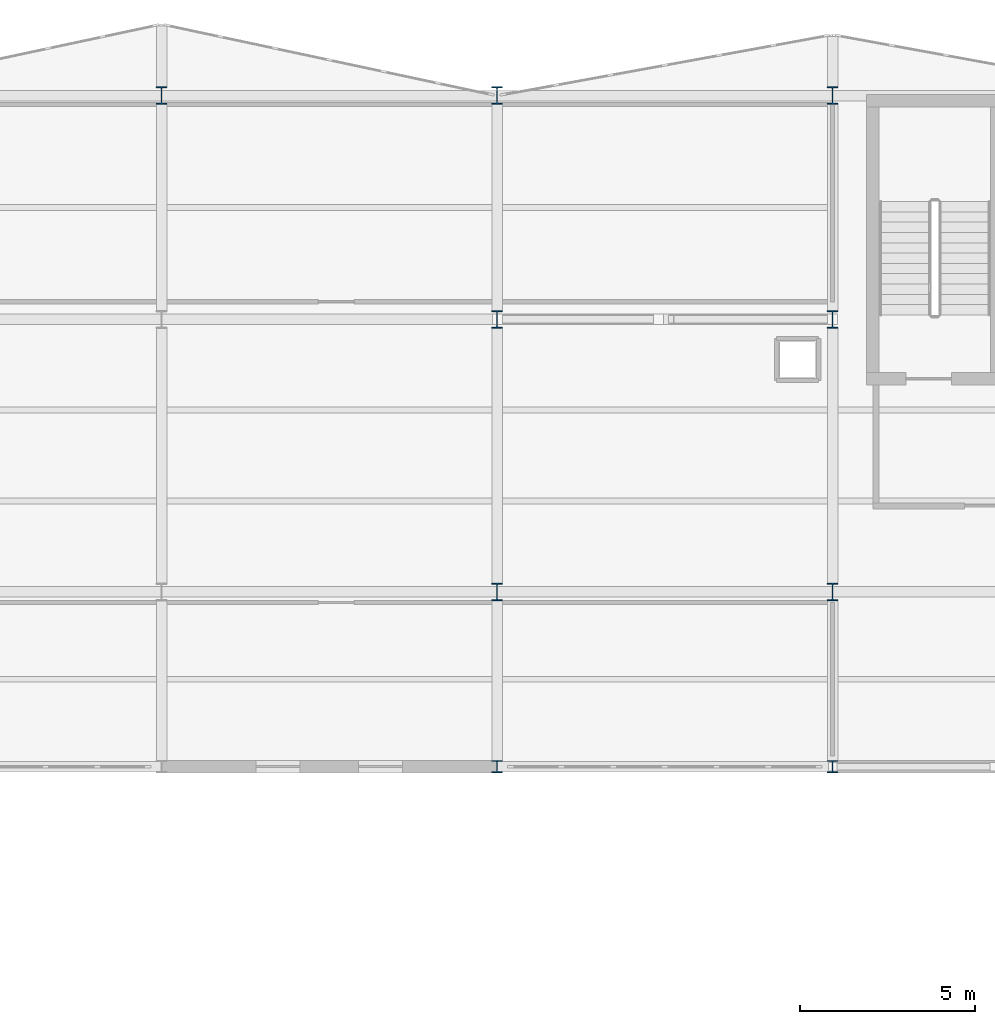
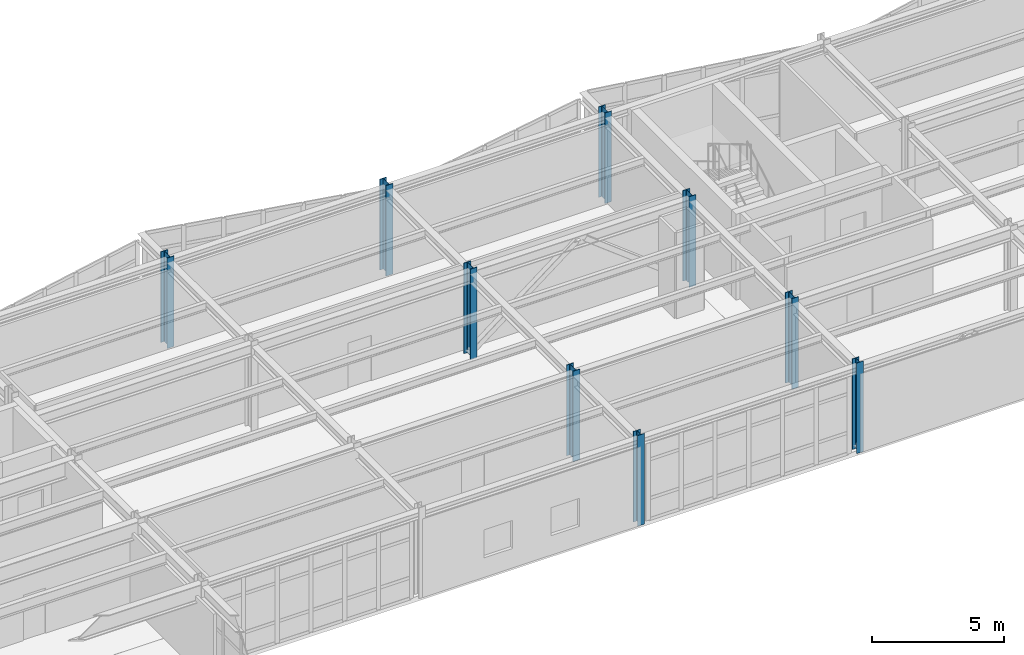
# One storey, part 7 of 76: 9 columns.
"""IFC4 building model written with IfcOpenShell, lengths in metres."""

from ifc_helpers import new_model, si_unit, direction, frame, origin, origin_2d, place, context, subcontext, project, spatial, i_section, extrude, material, material_profile, profile_set, type_object, element, save


model = new_model("IFC4")

# Units and contexts
model_context = context("Model", 3, precision=1e-05, world=origin(), true_north=direction((0.0, 1.0)))
body_context = subcontext(model_context, "Body", "Model", "MODEL_VIEW")
ifc_project = project(units=[si_unit("LENGTHUNIT", "METRE"), si_unit("AREAUNIT", "SQUARE_METRE"), si_unit("VOLUMEUNIT", "CUBIC_METRE"), si_unit("PLANEANGLEUNIT", "RADIAN"), si_unit("MASSUNIT", "GRAM", prefix="KILO")], contexts=[model_context])

# Site, building, storey
site_placement = place(None, origin())
site = spatial("IfcSite", under=ifc_project, at=site_placement, CompositionType="ELEMENT")
building_placement = place(site_placement, origin())
building = spatial("IfcBuilding", under=site, at=building_placement, Name="Nordkorset Police Headquarters", CompositionType="ELEMENT")
storey_placement = place(building_placement, frame((0.0, 0.0, 13.64990234375)))
storey = spatial("IfcBuildingStorey", under=building, at=storey_placement, Name="L03", CompositionType="ELEMENT", Elevation=13.64990234375)

# Columns
ifc_material_1 = material(Name="Steel S355J2", Category="steel")
ifc_material_profile_1 = material_profile(ifc_material_1, i_section(OverallWidth=0.300048828125, OverallDepth=0.340087890625, WebThickness=0.011962890625, FlangeThickness=0.021484375, FilletRadius=0.027099609375, at=origin_2d()), Name="HEB 340")
ifc_profile_set_1 = profile_set([ifc_material_profile_1], Name="Steel S355J2")
column_type_1 = type_object("IfcColumnType", Name="Col_HEB_340", PredefinedType="COLUMN", material=ifc_profile_set_1)
for number, where, z_axis, x_axis, name in (
    (1, (48.0, 97.60009765625, 0.0), (0.0, 0.0, 1.0), (1.0, 0.0, 0.0), "Structural Column V2_Y0_1 L03"),
    (2, (57.60009765625, 97.60009765625, 0.0), (0.0, 0.0, 1.0), (1.0, 0.0, 0.0), "Structural Column V2_Y0_2 L03"),
):
    element("IfcColumn", number, at=place(storey_placement, frame(where, z_axis=z_axis, x_axis=x_axis)), inside=storey, type_object=column_type_1, Name=name, PredefinedType="COLUMN", context=body_context, shape_type="SweptSolid", body=[
        extrude(i_section(OverallWidth=0.300048828125, OverallDepth=0.340087890625, WebThickness=0.011962890625, FlangeThickness=0.021484375, FilletRadius=0.027099609375, at=origin_2d()), origin(), (0.0, 0.0, 1.0), 4.2001953125),
    ])
ifc_material_2 = material(Name="Steel S355J2", Category="steel")
ifc_material_profile_2 = material_profile(ifc_material_2, i_section(OverallWidth=0.300048828125, OverallDepth=0.5, WebThickness=0.014404296875, FlangeThickness=0.028076171875, FilletRadius=0.027099609375, at=origin_2d()), Name="HEB 500")
ifc_profile_set_2 = profile_set([ifc_material_profile_2], Name="Steel S355J2")
column_type_2 = type_object("IfcColumnType", Name="Col_HEB_500", PredefinedType="COLUMN", material=ifc_profile_set_2)
for number, where, z_axis, x_axis, name in (
    (3, (38.39990234375, 116.800048828125, 0.0), (0.0, 0.0, 1.0), (1.0, 0.0, 0.0), "Structural Column V2_Y3_0 L03"),
    (4, (48.0, 102.60009765625, 0.0), (0.0, 0.0, 1.0), (1.0, 0.0, 0.0), "Structural Column V2_Y1_1 L03"),
    (5, (48.0, 110.39990234375, 0.0), (0.0, 0.0, 1.0), (1.0, 0.0, 0.0), "Structural Column V2_Y2_1 L03"),
    (6, (48.0, 116.800048828125, 0.0), (0.0, 0.0, 1.0), (1.0, 0.0, 0.0), "Structural Column V2_Y3_1 L03"),
    (7, (57.60009765625, 102.60009765625, 0.0), (0.0, 0.0, 1.0), (1.0, 0.0, 0.0), "Structural Column V2_Y1_2 L03"),
    (8, (57.60009765625, 110.39990234375, 0.0), (0.0, 0.0, 1.0), (1.0, 0.0, 0.0), "Structural Column V2_Y2_2 L03"),
    (9, (57.60009765625, 116.800048828125, 0.0), (0.0, 0.0, 1.0), (1.0, 0.0, 0.0), "Structural Column V2_Y3_2 L03"),
):
    element("IfcColumn", number, at=place(storey_placement, frame(where, z_axis=z_axis, x_axis=x_axis)), inside=storey, type_object=column_type_2, Name=name, PredefinedType="COLUMN", context=body_context, shape_type="SweptSolid", body=[
        extrude(i_section(OverallWidth=0.300048828125, OverallDepth=0.5, WebThickness=0.014404296875, FlangeThickness=0.028076171875, FilletRadius=0.027099609375, at=origin_2d()), origin(), (0.0, 0.0, 1.0), 4.2001953125),
    ])

save(model, "model.ifc")
